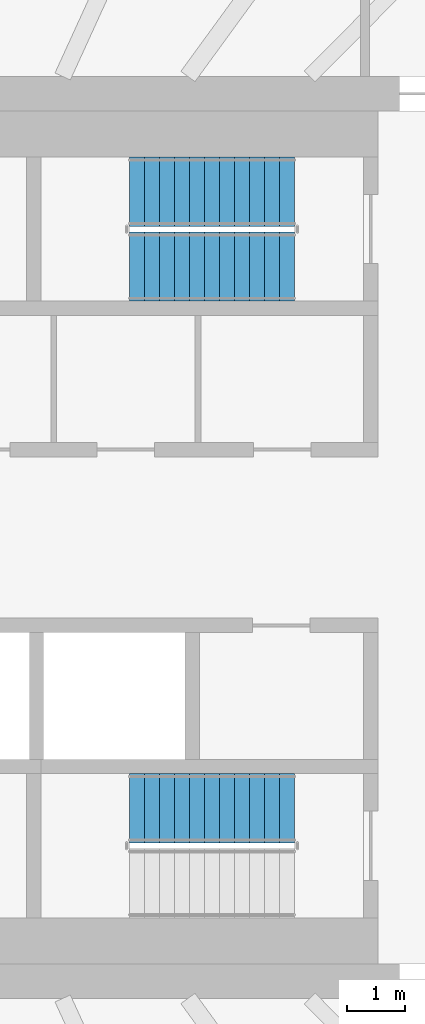
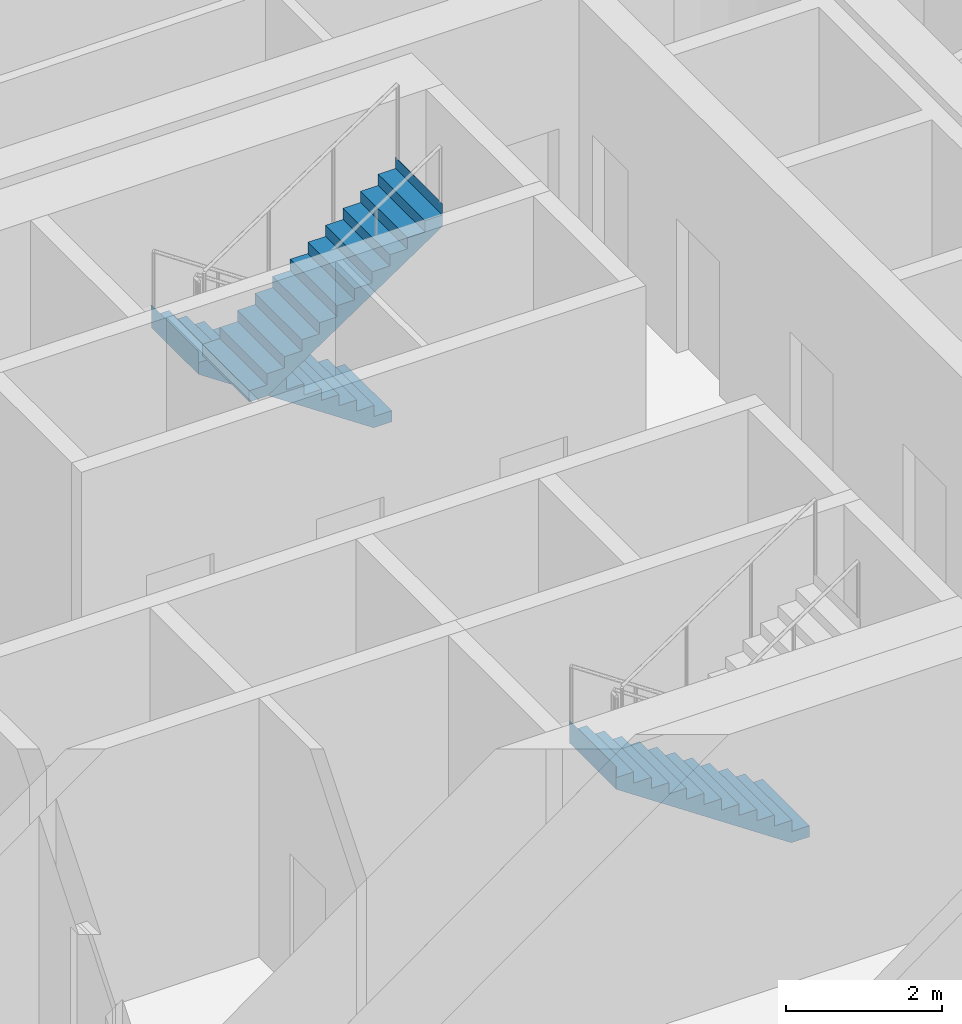
# One storey, part 18 of 24: 3 stair flights, 2 elements without a shape of their own.
"""IFC4 building model written with IfcOpenShell, lengths in metres."""

from ifc_helpers import new_model, si_unit, direction, frame, origin, place, context, subcontext, project, spatial, triangles, material, type_object, element, aggregate, save


model = new_model("IFC4")

# Units and contexts
model_context = context("Model", 3, precision=1e-05, world=origin(), true_north=direction((0.0, 1.0)))
body_context = subcontext(model_context, "Body", "Model", "MODEL_VIEW")
ifc_project = project(units=[si_unit("LENGTHUNIT", "METRE"), si_unit("AREAUNIT", "SQUARE_METRE"), si_unit("VOLUMEUNIT", "CUBIC_METRE"), si_unit("PLANEANGLEUNIT", "RADIAN"), si_unit("MASSUNIT", "GRAM", prefix="KILO")], contexts=[model_context])

# Site, building, storey
site_placement = place(None, origin())
site = spatial("IfcSite", under=ifc_project, at=site_placement, CompositionType="ELEMENT")
building_placement = place(site_placement, origin())
building = spatial("IfcBuilding", under=site, at=building_placement, Name="Sahrelin Media Tower", CompositionType="ELEMENT")
storey_placement = place(building_placement, frame((0.0, 0.0, 67.199951171875)))
storey = spatial("IfcBuildingStorey", under=building, at=storey_placement, Name="L11", CompositionType="ELEMENT", Elevation=67.199951171875)

# Stair, stair flights
ifc_material = material(Name="Concrete C40/50", Category="concrete")
stair_type = type_object("IfcStairType", Name="Exit stair 1200", PredefinedType="HALF_TURN_STAIR", material=ifc_material)
placement = place(storey_placement, origin())
stair_1 = element("IfcStair", 1, at=placement, inside=storey, type_object=stair_type, Name="L11 Exit stair ST3", PredefinedType="HALF_TURN_STAIR")
stair_flight_type = type_object("IfcStairFlightType", Name="Stair flight 1200", PredefinedType="STRAIGHT", material=ifc_material)
stair_flight_1_placement = place(storey_placement, frame((7.675048828125, 6.0, 0.0), z_axis=(0.0, 0.0, 1.0), x_axis=(-1.0, 0.0, 0.0)))
stair_flight_1 = element("IfcStairFlight", 2, at=stair_flight_1_placement, type_object=stair_flight_type, Name="ST3 flight 1", NumberOfRisers=12, NumberOfTreads=11, PredefinedType="STRAIGHT", RiserHeight=0.175, TreadLength=0.26, context=body_context, shape_type="Tessellation", body=[
    triangles([(0.2685546875, 0.60009765625, 0.0), (0.2685546875, 0.300048828125, 0.0), (0.2685546875, 0.0, 0.0), (0.2685546875, -0.300048828125, 0.0), (0.2685546875, -0.60009765625, 0.0), (2.860107421875, 0.60009765625, 1.744384765625), (2.860107421875, 0.300048828125, 1.744384765625), (2.860107421875, 0.0, 1.744384765625), (2.860107421875, -0.300048828125, 1.744384765625), (2.860107421875, -0.60009765625, 1.744384765625), (2.860107421875, 0.60009765625, 2.10009765625), (2.860107421875, 0.300048828125, 2.10009765625), (2.860107421875, 0.0, 2.10009765625), (2.860107421875, -0.300048828125, 2.10009765625), (2.860107421875, -0.60009765625, 2.10009765625), (2.85791015625, 0.60009765625, 2.10009765625), (2.85791015625, 0.300048828125, 2.10009765625), (2.85791015625, 0.0, 2.10009765625), (2.85791015625, -0.300048828125, 2.10009765625), (2.85791015625, -0.60009765625, 2.10009765625), (2.85791015625, 0.60009765625, 1.925048828125), (2.85791015625, 0.300048828125, 1.925048828125), (2.85791015625, 0.0, 1.925048828125), (2.85791015625, -0.300048828125, 1.925048828125), (2.85791015625, -0.60009765625, 1.925048828125), (2.60009765625, 0.60009765625, 1.925048828125), (2.60009765625, 0.300048828125, 1.925048828125), (2.60009765625, 0.0, 1.925048828125), (2.60009765625, -0.300048828125, 1.925048828125), (2.60009765625, -0.60009765625, 1.925048828125), (2.60009765625, 0.60009765625, 1.75), (2.60009765625, 0.300048828125, 1.75), (2.60009765625, 0.0, 1.75), (2.60009765625, -0.300048828125, 1.75), (2.60009765625, -0.60009765625, 1.75), (2.340087890625, 0.60009765625, 1.75), (2.340087890625, 0.300048828125, 1.75), (2.340087890625, 0.0, 1.75), (2.340087890625, -0.300048828125, 1.75), (2.340087890625, -0.60009765625, 1.75), (2.340087890625, 0.60009765625, 1.574951171875), (2.340087890625, 0.300048828125, 1.574951171875), (2.340087890625, 0.0, 1.574951171875), (2.340087890625, -0.300048828125, 1.574951171875), (2.340087890625, -0.60009765625, 1.574951171875), (2.080078125, 0.60009765625, 1.574951171875), (2.080078125, 0.300048828125, 1.574951171875), (2.080078125, 0.0, 1.574951171875), (2.080078125, -0.300048828125, 1.574951171875), (2.080078125, -0.60009765625, 1.574951171875), (2.080078125, 0.60009765625, 1.39990234375), (2.080078125, 0.300048828125, 1.39990234375), (2.080078125, 0.0, 1.39990234375), (2.080078125, -0.300048828125, 1.39990234375), (2.080078125, -0.60009765625, 1.39990234375), (1.820068359375, 0.60009765625, 1.39990234375), (1.820068359375, 0.300048828125, 1.39990234375), (1.820068359375, 0.0, 1.39990234375), (1.820068359375, -0.300048828125, 1.39990234375), (1.820068359375, -0.60009765625, 1.39990234375), (1.820068359375, 0.60009765625, 1.22509765625), (1.820068359375, 0.300048828125, 1.22509765625), (1.820068359375, 0.0, 1.22509765625), (1.820068359375, -0.300048828125, 1.22509765625), (1.820068359375, -0.60009765625, 1.22509765625), (1.56005859375, 0.60009765625, 1.22509765625), (1.56005859375, 0.300048828125, 1.22509765625), (1.56005859375, 0.0, 1.22509765625), (1.56005859375, -0.300048828125, 1.22509765625), (1.56005859375, -0.60009765625, 1.22509765625), (1.56005859375, 0.60009765625, 1.050048828125), (1.56005859375, 0.300048828125, 1.050048828125), (1.56005859375, 0.0, 1.050048828125), (1.56005859375, -0.300048828125, 1.050048828125), (1.56005859375, -0.60009765625, 1.050048828125), (1.300048828125, 0.60009765625, 1.050048828125), (1.300048828125, 0.300048828125, 1.050048828125), (1.300048828125, 0.0, 1.050048828125), (1.300048828125, -0.300048828125, 1.050048828125), (1.300048828125, -0.60009765625, 1.050048828125), (1.300048828125, 0.60009765625, 0.875), (1.300048828125, 0.300048828125, 0.875), (1.300048828125, 0.0, 0.875), (1.300048828125, -0.300048828125, 0.875), (1.300048828125, -0.60009765625, 0.875), (1.0400390625, 0.60009765625, 0.875), (1.0400390625, 0.300048828125, 0.875), (1.0400390625, 0.0, 0.875), (1.0400390625, -0.300048828125, 0.875), (1.0400390625, -0.60009765625, 0.875), (1.0400390625, 0.60009765625, 0.699951171875), (1.0400390625, 0.300048828125, 0.699951171875), (1.0400390625, 0.0, 0.699951171875), (1.0400390625, -0.300048828125, 0.699951171875), (1.0400390625, -0.60009765625, 0.699951171875), (0.780029296875, 0.60009765625, 0.699951171875), (0.780029296875, 0.300048828125, 0.699951171875), (0.780029296875, 0.0, 0.699951171875), (0.780029296875, -0.300048828125, 0.699951171875), (0.780029296875, -0.60009765625, 0.699951171875), (0.780029296875, 0.60009765625, 0.52490234375), (0.780029296875, 0.300048828125, 0.52490234375), (0.780029296875, 0.0, 0.52490234375), (0.780029296875, -0.300048828125, 0.52490234375), (0.780029296875, -0.60009765625, 0.52490234375), (0.52001953125, 0.60009765625, 0.52490234375), (0.52001953125, 0.300048828125, 0.52490234375), (0.52001953125, 0.0, 0.52490234375), (0.52001953125, -0.300048828125, 0.52490234375), (0.52001953125, -0.60009765625, 0.52490234375), (0.52001953125, 0.60009765625, 0.35009765625), (0.52001953125, 0.300048828125, 0.35009765625), (0.52001953125, 0.0, 0.35009765625), (0.52001953125, -0.300048828125, 0.35009765625), (0.52001953125, -0.60009765625, 0.35009765625), (0.260009765625, 0.60009765625, 0.35009765625), (0.260009765625, 0.300048828125, 0.35009765625), (0.260009765625, 0.0, 0.35009765625), (0.260009765625, -0.300048828125, 0.35009765625), (0.260009765625, -0.60009765625, 0.35009765625), (0.260009765625, 0.60009765625, 0.175048828125), (0.260009765625, 0.300048828125, 0.175048828125), (0.260009765625, 0.0, 0.175048828125), (0.260009765625, -0.300048828125, 0.175048828125), (0.260009765625, -0.60009765625, 0.175048828125), (0.0, 0.60009765625, 0.175048828125), (0.0, 0.300048828125, 0.175048828125), (0.0, 0.0, 0.175048828125), (0.0, -0.300048828125, 0.175048828125), (0.0, -0.60009765625, 0.175048828125), (0.0, 0.60009765625, 0.0), (0.0, 0.300048828125, 0.0), (0.0, 0.0, 0.0), (0.0, -0.300048828125, 0.0), (0.0, -0.60009765625, 0.0)], [[1, 6, 7], [1, 7, 2], [2, 7, 8], [2, 8, 3], [3, 8, 9], [3, 9, 4], [4, 9, 10], [4, 10, 5], [6, 11, 12], [6, 12, 7], [7, 12, 13], [7, 13, 8], [8, 13, 14], [8, 14, 9], [9, 14, 15], [9, 15, 10], [11, 16, 17], [11, 17, 12], [12, 17, 18], [12, 18, 13], [13, 18, 19], [13, 19, 14], [14, 19, 20], [14, 20, 15], [16, 21, 22], [16, 22, 17], [17, 22, 23], [17, 23, 18], [18, 23, 24], [18, 24, 19], [19, 24, 25], [19, 25, 20], [21, 26, 27], [21, 27, 22], [22, 27, 28], [22, 28, 23], [23, 28, 29], [23, 29, 24], [24, 29, 30], [24, 30, 25], [26, 31, 32], [26, 32, 27], [27, 32, 33], [27, 33, 28], [28, 33, 34], [28, 34, 29], [29, 34, 35], [29, 35, 30], [31, 36, 37], [31, 37, 32], [32, 37, 38], [32, 38, 33], [33, 38, 39], [33, 39, 34], [34, 39, 40], [34, 40, 35], [36, 41, 42], [36, 42, 37], [37, 42, 43], [37, 43, 38], [38, 43, 44], [38, 44, 39], [39, 44, 45], [39, 45, 40], [41, 46, 47], [41, 47, 42], [42, 47, 48], [42, 48, 43], [43, 48, 49], [43, 49, 44], [44, 49, 50], [44, 50, 45], [46, 51, 52], [46, 52, 47], [47, 52, 53], [47, 53, 48], [48, 53, 54], [48, 54, 49], [49, 54, 55], [49, 55, 50], [51, 56, 57], [51, 57, 52], [52, 57, 58], [52, 58, 53], [53, 58, 59], [53, 59, 54], [54, 59, 60], [54, 60, 55], [56, 61, 62], [56, 62, 57], [57, 62, 63], [57, 63, 58], [58, 63, 64], [58, 64, 59], [59, 64, 65], [59, 65, 60], [61, 66, 67], [61, 67, 62], [62, 67, 68], [62, 68, 63], [63, 68, 69], [63, 69, 64], [64, 69, 70], [64, 70, 65], [66, 71, 72], [66, 72, 67], [67, 72, 73], [67, 73, 68], [68, 73, 74], [68, 74, 69], [69, 74, 75], [69, 75, 70], [71, 76, 77], [71, 77, 72], [72, 77, 78], [72, 78, 73], [73, 78, 79], [73, 79, 74], [74, 79, 80], [74, 80, 75], [76, 81, 82], [76, 82, 77], [77, 82, 83], [77, 83, 78], [78, 83, 84], [78, 84, 79], [79, 84, 85], [79, 85, 80], [81, 86, 87], [81, 87, 82], [82, 87, 88], [82, 88, 83], [83, 88, 89], [83, 89, 84], [84, 89, 90], [84, 90, 85], [86, 91, 92], [86, 92, 87], [87, 92, 93], [87, 93, 88], [88, 93, 94], [88, 94, 89], [89, 94, 95], [89, 95, 90], [91, 96, 97], [91, 97, 92], [92, 97, 98], [92, 98, 93], [93, 98, 99], [93, 99, 94], [94, 99, 100], [94, 100, 95], [96, 101, 102], [96, 102, 97], [97, 102, 103], [97, 103, 98], [98, 103, 104], [98, 104, 99], [99, 104, 105], [99, 105, 100], [101, 106, 107], [101, 107, 102], [102, 107, 108], [102, 108, 103], [103, 108, 109], [103, 109, 104], [104, 109, 110], [104, 110, 105], [106, 111, 112], [106, 112, 107], [107, 112, 113], [107, 113, 108], [108, 113, 114], [108, 114, 109], [109, 114, 115], [109, 115, 110], [111, 116, 117], [111, 117, 112], [112, 117, 118], [112, 118, 113], [113, 118, 119], [113, 119, 114], [114, 119, 120], [114, 120, 115], [116, 121, 122], [116, 122, 117], [117, 122, 123], [117, 123, 118], [118, 123, 124], [118, 124, 119], [119, 124, 125], [119, 125, 120], [121, 126, 127], [121, 127, 122], [122, 127, 128], [122, 128, 123], [123, 128, 129], [123, 129, 124], [124, 129, 130], [124, 130, 125], [126, 131, 132], [126, 132, 127], [127, 132, 133], [127, 133, 128], [128, 133, 134], [128, 134, 129], [129, 134, 135], [129, 135, 130], [131, 1, 2], [131, 2, 132], [132, 2, 3], [132, 3, 133], [133, 3, 4], [133, 4, 134], [134, 4, 5], [134, 5, 135], [125, 130, 135], [121, 131, 126], [125, 115, 120], [121, 116, 111], [115, 105, 110], [111, 106, 101], [105, 95, 100], [101, 96, 91], [95, 85, 90], [91, 86, 81], [85, 75, 80], [81, 76, 71], [75, 65, 70], [71, 66, 61], [65, 55, 60], [61, 56, 51], [55, 45, 50], [51, 46, 41], [45, 35, 40], [41, 36, 31], [35, 25, 30], [31, 26, 21], [25, 15, 20], [21, 16, 11], [135, 5, 125], [131, 121, 1], [95, 105, 5], [91, 1, 101], [5, 10, 75], [1, 71, 6], [10, 35, 45], [6, 41, 31], [25, 10, 15], [21, 11, 6], [115, 125, 5], [111, 1, 121], [75, 85, 5], [71, 1, 81], [35, 10, 25], [31, 21, 6], [105, 115, 5], [101, 1, 111], [45, 55, 10], [41, 6, 51], [85, 95, 5], [81, 1, 91], [65, 10, 55], [61, 51, 6], [10, 65, 75], [6, 71, 61]], closed=True),
])
stair_flight_2_placement = place(storey_placement, frame((4.81494140625, 4.699951171875, 2.10009765625), z_axis=(0.0, 0.0, 1.0), x_axis=(1.0, 0.0, 0.0)))
stair_flight_2 = element("IfcStairFlight", 3, at=stair_flight_2_placement, type_object=stair_flight_type, Name="ST3 flight 2", NumberOfRisers=12, NumberOfTreads=11, PredefinedType="STRAIGHT", RiserHeight=0.175, TreadLength=0.26, context=body_context, shape_type="Tessellation", body=[
    triangles([(0.2685546875, 0.60009765625, 0.0), (0.2685546875, 0.300048828125, 0.0), (0.2685546875, 0.0, 0.0), (0.2685546875, -0.300048828125, 0.0), (0.2685546875, -0.60009765625, 0.0), (2.860107421875, 0.60009765625, 1.744384765625), (2.860107421875, 0.300048828125, 1.744384765625), (2.860107421875, 0.0, 1.744384765625), (2.860107421875, -0.300048828125, 1.744384765625), (2.860107421875, -0.60009765625, 1.744384765625), (2.860107421875, 0.60009765625, 2.10009765625), (2.860107421875, 0.300048828125, 2.10009765625), (2.860107421875, 0.0, 2.10009765625), (2.860107421875, -0.300048828125, 2.10009765625), (2.860107421875, -0.60009765625, 2.10009765625), (2.85791015625, 0.60009765625, 2.10009765625), (2.85791015625, 0.300048828125, 2.10009765625), (2.85791015625, 0.0, 2.10009765625), (2.85791015625, -0.300048828125, 2.10009765625), (2.85791015625, -0.60009765625, 2.10009765625), (2.85791015625, 0.60009765625, 1.925048828125), (2.85791015625, 0.300048828125, 1.925048828125), (2.85791015625, 0.0, 1.925048828125), (2.85791015625, -0.300048828125, 1.925048828125), (2.85791015625, -0.60009765625, 1.925048828125), (2.60009765625, 0.60009765625, 1.925048828125), (2.60009765625, 0.300048828125, 1.925048828125), (2.60009765625, 0.0, 1.925048828125), (2.60009765625, -0.300048828125, 1.925048828125), (2.60009765625, -0.60009765625, 1.925048828125), (2.60009765625, 0.60009765625, 1.75), (2.60009765625, 0.300048828125, 1.75), (2.60009765625, 0.0, 1.75), (2.60009765625, -0.300048828125, 1.75), (2.60009765625, -0.60009765625, 1.75), (2.340087890625, 0.60009765625, 1.75), (2.340087890625, 0.300048828125, 1.75), (2.340087890625, 0.0, 1.75), (2.340087890625, -0.300048828125, 1.75), (2.340087890625, -0.60009765625, 1.75), (2.340087890625, 0.60009765625, 1.574951171875), (2.340087890625, 0.300048828125, 1.574951171875), (2.340087890625, 0.0, 1.574951171875), (2.340087890625, -0.300048828125, 1.574951171875), (2.340087890625, -0.60009765625, 1.574951171875), (2.080078125, 0.60009765625, 1.574951171875), (2.080078125, 0.300048828125, 1.574951171875), (2.080078125, 0.0, 1.574951171875), (2.080078125, -0.300048828125, 1.574951171875), (2.080078125, -0.60009765625, 1.574951171875), (2.080078125, 0.60009765625, 1.39990234375), (2.080078125, 0.300048828125, 1.39990234375), (2.080078125, 0.0, 1.39990234375), (2.080078125, -0.300048828125, 1.39990234375), (2.080078125, -0.60009765625, 1.39990234375), (1.820068359375, 0.60009765625, 1.39990234375), (1.820068359375, 0.300048828125, 1.39990234375), (1.820068359375, 0.0, 1.39990234375), (1.820068359375, -0.300048828125, 1.39990234375), (1.820068359375, -0.60009765625, 1.39990234375), (1.820068359375, 0.60009765625, 1.22509765625), (1.820068359375, 0.300048828125, 1.22509765625), (1.820068359375, 0.0, 1.22509765625), (1.820068359375, -0.300048828125, 1.22509765625), (1.820068359375, -0.60009765625, 1.22509765625), (1.56005859375, 0.60009765625, 1.22509765625), (1.56005859375, 0.300048828125, 1.22509765625), (1.56005859375, 0.0, 1.22509765625), (1.56005859375, -0.300048828125, 1.22509765625), (1.56005859375, -0.60009765625, 1.22509765625), (1.56005859375, 0.60009765625, 1.050048828125), (1.56005859375, 0.300048828125, 1.050048828125), (1.56005859375, 0.0, 1.050048828125), (1.56005859375, -0.300048828125, 1.050048828125), (1.56005859375, -0.60009765625, 1.050048828125), (1.300048828125, 0.60009765625, 1.050048828125), (1.300048828125, 0.300048828125, 1.050048828125), (1.300048828125, 0.0, 1.050048828125), (1.300048828125, -0.300048828125, 1.050048828125), (1.300048828125, -0.60009765625, 1.050048828125), (1.300048828125, 0.60009765625, 0.875), (1.300048828125, 0.300048828125, 0.875), (1.300048828125, 0.0, 0.875), (1.300048828125, -0.300048828125, 0.875), (1.300048828125, -0.60009765625, 0.875), (1.0400390625, 0.60009765625, 0.875), (1.0400390625, 0.300048828125, 0.875), (1.0400390625, 0.0, 0.875), (1.0400390625, -0.300048828125, 0.875), (1.0400390625, -0.60009765625, 0.875), (1.0400390625, 0.60009765625, 0.699951171875), (1.0400390625, 0.300048828125, 0.699951171875), (1.0400390625, 0.0, 0.699951171875), (1.0400390625, -0.300048828125, 0.699951171875), (1.0400390625, -0.60009765625, 0.699951171875), (0.780029296875, 0.60009765625, 0.699951171875), (0.780029296875, 0.300048828125, 0.699951171875), (0.780029296875, 0.0, 0.699951171875), (0.780029296875, -0.300048828125, 0.699951171875), (0.780029296875, -0.60009765625, 0.699951171875), (0.780029296875, 0.60009765625, 0.52490234375), (0.780029296875, 0.300048828125, 0.52490234375), (0.780029296875, 0.0, 0.52490234375), (0.780029296875, -0.300048828125, 0.52490234375), (0.780029296875, -0.60009765625, 0.52490234375), (0.52001953125, 0.60009765625, 0.52490234375), (0.52001953125, 0.300048828125, 0.52490234375), (0.52001953125, 0.0, 0.52490234375), (0.52001953125, -0.300048828125, 0.52490234375), (0.52001953125, -0.60009765625, 0.52490234375), (0.52001953125, 0.60009765625, 0.35009765625), (0.52001953125, 0.300048828125, 0.35009765625), (0.52001953125, 0.0, 0.35009765625), (0.52001953125, -0.300048828125, 0.35009765625), (0.52001953125, -0.60009765625, 0.35009765625), (0.260009765625, 0.60009765625, 0.35009765625), (0.260009765625, 0.300048828125, 0.35009765625), (0.260009765625, 0.0, 0.35009765625), (0.260009765625, -0.300048828125, 0.35009765625), (0.260009765625, -0.60009765625, 0.35009765625), (0.260009765625, 0.60009765625, 0.175048828125), (0.260009765625, 0.300048828125, 0.175048828125), (0.260009765625, 0.0, 0.175048828125), (0.260009765625, -0.300048828125, 0.175048828125), (0.260009765625, -0.60009765625, 0.175048828125), (0.0, 0.60009765625, 0.175048828125), (0.0, 0.300048828125, 0.175048828125), (0.0, 0.0, 0.175048828125), (0.0, -0.300048828125, 0.175048828125), (0.0, -0.60009765625, 0.175048828125), (0.0, 0.60009765625, 0.0), (0.0, 0.300048828125, 0.0), (0.0, 0.0, 0.0), (0.0, -0.300048828125, 0.0), (0.0, -0.60009765625, 0.0)], [[1, 6, 7], [1, 7, 2], [2, 7, 8], [2, 8, 3], [3, 8, 9], [3, 9, 4], [4, 9, 10], [4, 10, 5], [6, 11, 12], [6, 12, 7], [7, 12, 13], [7, 13, 8], [8, 13, 14], [8, 14, 9], [9, 14, 15], [9, 15, 10], [11, 16, 17], [11, 17, 12], [12, 17, 18], [12, 18, 13], [13, 18, 19], [13, 19, 14], [14, 19, 20], [14, 20, 15], [16, 21, 22], [16, 22, 17], [17, 22, 23], [17, 23, 18], [18, 23, 24], [18, 24, 19], [19, 24, 25], [19, 25, 20], [21, 26, 27], [21, 27, 22], [22, 27, 28], [22, 28, 23], [23, 28, 29], [23, 29, 24], [24, 29, 30], [24, 30, 25], [26, 31, 32], [26, 32, 27], [27, 32, 33], [27, 33, 28], [28, 33, 34], [28, 34, 29], [29, 34, 35], [29, 35, 30], [31, 36, 37], [31, 37, 32], [32, 37, 38], [32, 38, 33], [33, 38, 39], [33, 39, 34], [34, 39, 40], [34, 40, 35], [36, 41, 42], [36, 42, 37], [37, 42, 43], [37, 43, 38], [38, 43, 44], [38, 44, 39], [39, 44, 45], [39, 45, 40], [41, 46, 47], [41, 47, 42], [42, 47, 48], [42, 48, 43], [43, 48, 49], [43, 49, 44], [44, 49, 50], [44, 50, 45], [46, 51, 52], [46, 52, 47], [47, 52, 53], [47, 53, 48], [48, 53, 54], [48, 54, 49], [49, 54, 55], [49, 55, 50], [51, 56, 57], [51, 57, 52], [52, 57, 58], [52, 58, 53], [53, 58, 59], [53, 59, 54], [54, 59, 60], [54, 60, 55], [56, 61, 62], [56, 62, 57], [57, 62, 63], [57, 63, 58], [58, 63, 64], [58, 64, 59], [59, 64, 65], [59, 65, 60], [61, 66, 67], [61, 67, 62], [62, 67, 68], [62, 68, 63], [63, 68, 69], [63, 69, 64], [64, 69, 70], [64, 70, 65], [66, 71, 72], [66, 72, 67], [67, 72, 73], [67, 73, 68], [68, 73, 74], [68, 74, 69], [69, 74, 75], [69, 75, 70], [71, 76, 77], [71, 77, 72], [72, 77, 78], [72, 78, 73], [73, 78, 79], [73, 79, 74], [74, 79, 80], [74, 80, 75], [76, 81, 82], [76, 82, 77], [77, 82, 83], [77, 83, 78], [78, 83, 84], [78, 84, 79], [79, 84, 85], [79, 85, 80], [81, 86, 87], [81, 87, 82], [82, 87, 88], [82, 88, 83], [83, 88, 89], [83, 89, 84], [84, 89, 90], [84, 90, 85], [86, 91, 92], [86, 92, 87], [87, 92, 93], [87, 93, 88], [88, 93, 94], [88, 94, 89], [89, 94, 95], [89, 95, 90], [91, 96, 97], [91, 97, 92], [92, 97, 98], [92, 98, 93], [93, 98, 99], [93, 99, 94], [94, 99, 100], [94, 100, 95], [96, 101, 102], [96, 102, 97], [97, 102, 103], [97, 103, 98], [98, 103, 104], [98, 104, 99], [99, 104, 105], [99, 105, 100], [101, 106, 107], [101, 107, 102], [102, 107, 108], [102, 108, 103], [103, 108, 109], [103, 109, 104], [104, 109, 110], [104, 110, 105], [106, 111, 112], [106, 112, 107], [107, 112, 113], [107, 113, 108], [108, 113, 114], [108, 114, 109], [109, 114, 115], [109, 115, 110], [111, 116, 117], [111, 117, 112], [112, 117, 118], [112, 118, 113], [113, 118, 119], [113, 119, 114], [114, 119, 120], [114, 120, 115], [116, 121, 122], [116, 122, 117], [117, 122, 123], [117, 123, 118], [118, 123, 124], [118, 124, 119], [119, 124, 125], [119, 125, 120], [121, 126, 127], [121, 127, 122], [122, 127, 128], [122, 128, 123], [123, 128, 129], [123, 129, 124], [124, 129, 130], [124, 130, 125], [126, 131, 132], [126, 132, 127], [127, 132, 133], [127, 133, 128], [128, 133, 134], [128, 134, 129], [129, 134, 135], [129, 135, 130], [131, 1, 2], [131, 2, 132], [132, 2, 3], [132, 3, 133], [133, 3, 4], [133, 4, 134], [134, 4, 5], [134, 5, 135], [125, 130, 135], [121, 131, 126], [125, 115, 120], [121, 116, 111], [115, 105, 110], [111, 106, 101], [105, 95, 100], [101, 96, 91], [95, 85, 90], [91, 86, 81], [85, 75, 80], [81, 76, 71], [75, 65, 70], [71, 66, 61], [65, 55, 60], [61, 56, 51], [55, 45, 50], [51, 46, 41], [45, 35, 40], [41, 36, 31], [35, 25, 30], [31, 26, 21], [25, 15, 20], [21, 16, 11], [135, 5, 125], [131, 121, 1], [95, 105, 5], [91, 1, 101], [5, 10, 75], [1, 71, 6], [10, 35, 45], [6, 41, 31], [25, 10, 15], [21, 11, 6], [115, 125, 5], [111, 1, 121], [75, 85, 5], [71, 1, 81], [35, 10, 25], [31, 21, 6], [105, 115, 5], [101, 1, 111], [45, 55, 10], [41, 6, 51], [85, 95, 5], [81, 1, 91], [65, 10, 55], [61, 51, 6], [10, 65, 75], [6, 71, 61]], closed=True),
])
aggregate(stair_1, [stair_flight_1, stair_flight_2])

# Stair, stair flight
stair_2 = element("IfcStair", 4, at=placement, inside=storey, type_object=stair_type, Name="L11 Exit stair ST2", PredefinedType="HALF_TURN_STAIR")
stair_flight_3_placement = place(storey_placement, frame((7.675048828125, -4.699951171875, 0.0), z_axis=(0.0, 0.0, 1.0), x_axis=(-1.0, 0.0, 0.0)))
stair_flight_3 = element("IfcStairFlight", 5, at=stair_flight_3_placement, type_object=stair_flight_type, Name="ST2 flight 1", NumberOfRisers=12, NumberOfTreads=11, PredefinedType="STRAIGHT", RiserHeight=0.175, TreadLength=0.26, context=body_context, shape_type="Tessellation", body=[
    triangles([(0.2685546875, 0.60009765625, 0.0), (0.2685546875, 0.300048828125, 0.0), (0.2685546875, 0.0, 0.0), (0.2685546875, -0.300048828125, 0.0), (0.2685546875, -0.60009765625, 0.0), (2.860107421875, 0.60009765625, 1.744384765625), (2.860107421875, 0.300048828125, 1.744384765625), (2.860107421875, 0.0, 1.744384765625), (2.860107421875, -0.300048828125, 1.744384765625), (2.860107421875, -0.60009765625, 1.744384765625), (2.860107421875, 0.60009765625, 2.10009765625), (2.860107421875, 0.300048828125, 2.10009765625), (2.860107421875, 0.0, 2.10009765625), (2.860107421875, -0.300048828125, 2.10009765625), (2.860107421875, -0.60009765625, 2.10009765625), (2.85791015625, 0.60009765625, 2.10009765625), (2.85791015625, 0.300048828125, 2.10009765625), (2.85791015625, 0.0, 2.10009765625), (2.85791015625, -0.300048828125, 2.10009765625), (2.85791015625, -0.60009765625, 2.10009765625), (2.85791015625, 0.60009765625, 1.925048828125), (2.85791015625, 0.300048828125, 1.925048828125), (2.85791015625, 0.0, 1.925048828125), (2.85791015625, -0.300048828125, 1.925048828125), (2.85791015625, -0.60009765625, 1.925048828125), (2.60009765625, 0.60009765625, 1.925048828125), (2.60009765625, 0.300048828125, 1.925048828125), (2.60009765625, 0.0, 1.925048828125), (2.60009765625, -0.300048828125, 1.925048828125), (2.60009765625, -0.60009765625, 1.925048828125), (2.60009765625, 0.60009765625, 1.75), (2.60009765625, 0.300048828125, 1.75), (2.60009765625, 0.0, 1.75), (2.60009765625, -0.300048828125, 1.75), (2.60009765625, -0.60009765625, 1.75), (2.340087890625, 0.60009765625, 1.75), (2.340087890625, 0.300048828125, 1.75), (2.340087890625, 0.0, 1.75), (2.340087890625, -0.300048828125, 1.75), (2.340087890625, -0.60009765625, 1.75), (2.340087890625, 0.60009765625, 1.574951171875), (2.340087890625, 0.300048828125, 1.574951171875), (2.340087890625, 0.0, 1.574951171875), (2.340087890625, -0.300048828125, 1.574951171875), (2.340087890625, -0.60009765625, 1.574951171875), (2.080078125, 0.60009765625, 1.574951171875), (2.080078125, 0.300048828125, 1.574951171875), (2.080078125, 0.0, 1.574951171875), (2.080078125, -0.300048828125, 1.574951171875), (2.080078125, -0.60009765625, 1.574951171875), (2.080078125, 0.60009765625, 1.39990234375), (2.080078125, 0.300048828125, 1.39990234375), (2.080078125, 0.0, 1.39990234375), (2.080078125, -0.300048828125, 1.39990234375), (2.080078125, -0.60009765625, 1.39990234375), (1.820068359375, 0.60009765625, 1.39990234375), (1.820068359375, 0.300048828125, 1.39990234375), (1.820068359375, 0.0, 1.39990234375), (1.820068359375, -0.300048828125, 1.39990234375), (1.820068359375, -0.60009765625, 1.39990234375), (1.820068359375, 0.60009765625, 1.22509765625), (1.820068359375, 0.300048828125, 1.22509765625), (1.820068359375, 0.0, 1.22509765625), (1.820068359375, -0.300048828125, 1.22509765625), (1.820068359375, -0.60009765625, 1.22509765625), (1.56005859375, 0.60009765625, 1.22509765625), (1.56005859375, 0.300048828125, 1.22509765625), (1.56005859375, 0.0, 1.22509765625), (1.56005859375, -0.300048828125, 1.22509765625), (1.56005859375, -0.60009765625, 1.22509765625), (1.56005859375, 0.60009765625, 1.050048828125), (1.56005859375, 0.300048828125, 1.050048828125), (1.56005859375, 0.0, 1.050048828125), (1.56005859375, -0.300048828125, 1.050048828125), (1.56005859375, -0.60009765625, 1.050048828125), (1.300048828125, 0.60009765625, 1.050048828125), (1.300048828125, 0.300048828125, 1.050048828125), (1.300048828125, 0.0, 1.050048828125), (1.300048828125, -0.300048828125, 1.050048828125), (1.300048828125, -0.60009765625, 1.050048828125), (1.300048828125, 0.60009765625, 0.875), (1.300048828125, 0.300048828125, 0.875), (1.300048828125, 0.0, 0.875), (1.300048828125, -0.300048828125, 0.875), (1.300048828125, -0.60009765625, 0.875), (1.0400390625, 0.60009765625, 0.875), (1.0400390625, 0.300048828125, 0.875), (1.0400390625, 0.0, 0.875), (1.0400390625, -0.300048828125, 0.875), (1.0400390625, -0.60009765625, 0.875), (1.0400390625, 0.60009765625, 0.699951171875), (1.0400390625, 0.300048828125, 0.699951171875), (1.0400390625, 0.0, 0.699951171875), (1.0400390625, -0.300048828125, 0.699951171875), (1.0400390625, -0.60009765625, 0.699951171875), (0.780029296875, 0.60009765625, 0.699951171875), (0.780029296875, 0.300048828125, 0.699951171875), (0.780029296875, 0.0, 0.699951171875), (0.780029296875, -0.300048828125, 0.699951171875), (0.780029296875, -0.60009765625, 0.699951171875), (0.780029296875, 0.60009765625, 0.52490234375), (0.780029296875, 0.300048828125, 0.52490234375), (0.780029296875, 0.0, 0.52490234375), (0.780029296875, -0.300048828125, 0.52490234375), (0.780029296875, -0.60009765625, 0.52490234375), (0.52001953125, 0.60009765625, 0.52490234375), (0.52001953125, 0.300048828125, 0.52490234375), (0.52001953125, 0.0, 0.52490234375), (0.52001953125, -0.300048828125, 0.52490234375), (0.52001953125, -0.60009765625, 0.52490234375), (0.52001953125, 0.60009765625, 0.35009765625), (0.52001953125, 0.300048828125, 0.35009765625), (0.52001953125, 0.0, 0.35009765625), (0.52001953125, -0.300048828125, 0.35009765625), (0.52001953125, -0.60009765625, 0.35009765625), (0.260009765625, 0.60009765625, 0.35009765625), (0.260009765625, 0.300048828125, 0.35009765625), (0.260009765625, 0.0, 0.35009765625), (0.260009765625, -0.300048828125, 0.35009765625), (0.260009765625, -0.60009765625, 0.35009765625), (0.260009765625, 0.60009765625, 0.175048828125), (0.260009765625, 0.300048828125, 0.175048828125), (0.260009765625, 0.0, 0.175048828125), (0.260009765625, -0.300048828125, 0.175048828125), (0.260009765625, -0.60009765625, 0.175048828125), (0.0, 0.60009765625, 0.175048828125), (0.0, 0.300048828125, 0.175048828125), (0.0, 0.0, 0.175048828125), (0.0, -0.300048828125, 0.175048828125), (0.0, -0.60009765625, 0.175048828125), (0.0, 0.60009765625, 0.0), (0.0, 0.300048828125, 0.0), (0.0, 0.0, 0.0), (0.0, -0.300048828125, 0.0), (0.0, -0.60009765625, 0.0)], [[1, 6, 7], [1, 7, 2], [2, 7, 8], [2, 8, 3], [3, 8, 9], [3, 9, 4], [4, 9, 10], [4, 10, 5], [6, 11, 12], [6, 12, 7], [7, 12, 13], [7, 13, 8], [8, 13, 14], [8, 14, 9], [9, 14, 15], [9, 15, 10], [11, 16, 17], [11, 17, 12], [12, 17, 18], [12, 18, 13], [13, 18, 19], [13, 19, 14], [14, 19, 20], [14, 20, 15], [16, 21, 22], [16, 22, 17], [17, 22, 23], [17, 23, 18], [18, 23, 24], [18, 24, 19], [19, 24, 25], [19, 25, 20], [21, 26, 27], [21, 27, 22], [22, 27, 28], [22, 28, 23], [23, 28, 29], [23, 29, 24], [24, 29, 30], [24, 30, 25], [26, 31, 32], [26, 32, 27], [27, 32, 33], [27, 33, 28], [28, 33, 34], [28, 34, 29], [29, 34, 35], [29, 35, 30], [31, 36, 37], [31, 37, 32], [32, 37, 38], [32, 38, 33], [33, 38, 39], [33, 39, 34], [34, 39, 40], [34, 40, 35], [36, 41, 42], [36, 42, 37], [37, 42, 43], [37, 43, 38], [38, 43, 44], [38, 44, 39], [39, 44, 45], [39, 45, 40], [41, 46, 47], [41, 47, 42], [42, 47, 48], [42, 48, 43], [43, 48, 49], [43, 49, 44], [44, 49, 50], [44, 50, 45], [46, 51, 52], [46, 52, 47], [47, 52, 53], [47, 53, 48], [48, 53, 54], [48, 54, 49], [49, 54, 55], [49, 55, 50], [51, 56, 57], [51, 57, 52], [52, 57, 58], [52, 58, 53], [53, 58, 59], [53, 59, 54], [54, 59, 60], [54, 60, 55], [56, 61, 62], [56, 62, 57], [57, 62, 63], [57, 63, 58], [58, 63, 64], [58, 64, 59], [59, 64, 65], [59, 65, 60], [61, 66, 67], [61, 67, 62], [62, 67, 68], [62, 68, 63], [63, 68, 69], [63, 69, 64], [64, 69, 70], [64, 70, 65], [66, 71, 72], [66, 72, 67], [67, 72, 73], [67, 73, 68], [68, 73, 74], [68, 74, 69], [69, 74, 75], [69, 75, 70], [71, 76, 77], [71, 77, 72], [72, 77, 78], [72, 78, 73], [73, 78, 79], [73, 79, 74], [74, 79, 80], [74, 80, 75], [76, 81, 82], [76, 82, 77], [77, 82, 83], [77, 83, 78], [78, 83, 84], [78, 84, 79], [79, 84, 85], [79, 85, 80], [81, 86, 87], [81, 87, 82], [82, 87, 88], [82, 88, 83], [83, 88, 89], [83, 89, 84], [84, 89, 90], [84, 90, 85], [86, 91, 92], [86, 92, 87], [87, 92, 93], [87, 93, 88], [88, 93, 94], [88, 94, 89], [89, 94, 95], [89, 95, 90], [91, 96, 97], [91, 97, 92], [92, 97, 98], [92, 98, 93], [93, 98, 99], [93, 99, 94], [94, 99, 100], [94, 100, 95], [96, 101, 102], [96, 102, 97], [97, 102, 103], [97, 103, 98], [98, 103, 104], [98, 104, 99], [99, 104, 105], [99, 105, 100], [101, 106, 107], [101, 107, 102], [102, 107, 108], [102, 108, 103], [103, 108, 109], [103, 109, 104], [104, 109, 110], [104, 110, 105], [106, 111, 112], [106, 112, 107], [107, 112, 113], [107, 113, 108], [108, 113, 114], [108, 114, 109], [109, 114, 115], [109, 115, 110], [111, 116, 117], [111, 117, 112], [112, 117, 118], [112, 118, 113], [113, 118, 119], [113, 119, 114], [114, 119, 120], [114, 120, 115], [116, 121, 122], [116, 122, 117], [117, 122, 123], [117, 123, 118], [118, 123, 124], [118, 124, 119], [119, 124, 125], [119, 125, 120], [121, 126, 127], [121, 127, 122], [122, 127, 128], [122, 128, 123], [123, 128, 129], [123, 129, 124], [124, 129, 130], [124, 130, 125], [126, 131, 132], [126, 132, 127], [127, 132, 133], [127, 133, 128], [128, 133, 134], [128, 134, 129], [129, 134, 135], [129, 135, 130], [131, 1, 2], [131, 2, 132], [132, 2, 3], [132, 3, 133], [133, 3, 4], [133, 4, 134], [134, 4, 5], [134, 5, 135], [125, 130, 135], [121, 131, 126], [125, 115, 120], [121, 116, 111], [115, 105, 110], [111, 106, 101], [105, 95, 100], [101, 96, 91], [95, 85, 90], [91, 86, 81], [85, 75, 80], [81, 76, 71], [75, 65, 70], [71, 66, 61], [65, 55, 60], [61, 56, 51], [55, 45, 50], [51, 46, 41], [45, 35, 40], [41, 36, 31], [35, 25, 30], [31, 26, 21], [25, 15, 20], [21, 16, 11], [135, 5, 125], [131, 121, 1], [95, 105, 5], [91, 1, 101], [5, 10, 75], [1, 71, 6], [10, 35, 45], [6, 41, 31], [25, 10, 15], [21, 11, 6], [115, 125, 5], [111, 1, 121], [75, 85, 5], [71, 1, 81], [35, 10, 25], [31, 21, 6], [105, 115, 5], [101, 1, 111], [45, 55, 10], [41, 6, 51], [85, 95, 5], [81, 1, 91], [65, 10, 55], [61, 51, 6], [10, 65, 75], [6, 71, 61]], closed=True),
])
aggregate(stair_2, [stair_flight_3])

save(model, "model.ifc")
